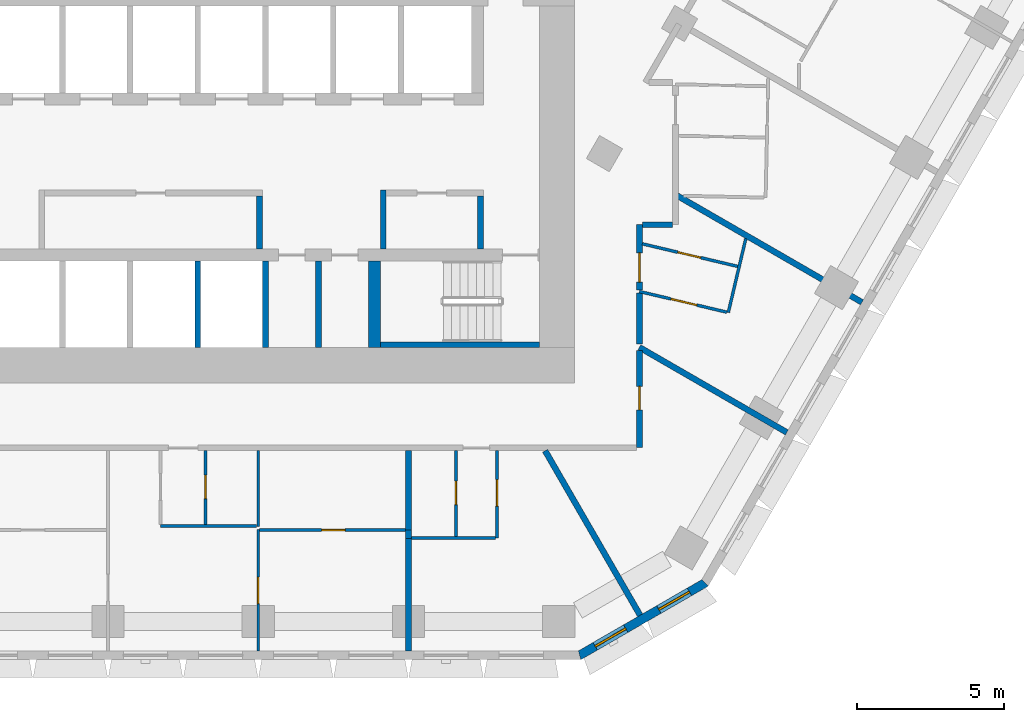
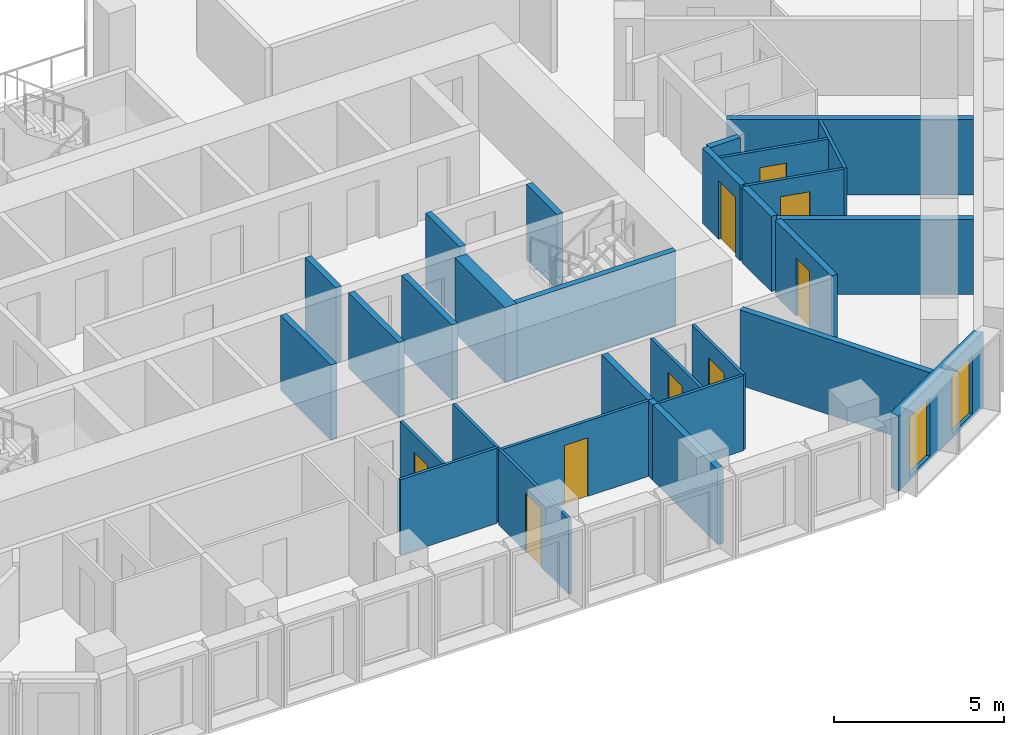
# One storey, part 6 of 21: 30 walls, 9 doors, 2 windows, 11 openings.
"""IFC4 building model written with IfcOpenShell, lengths in metres."""

from ifc_helpers import new_model, si_unit, direction, frame, frame_2d, origin, place, context, subcontext, project, spatial, polyline, rectangle, outline, extrude, material, layer, layer_set, type_object, element, fill, save


model = new_model("IFC4")

# Units and contexts
model_context = context("Model", 3, precision=1e-05, world=origin(), true_north=direction((0.0, 1.0)))
body_context = subcontext(model_context, "Body", "Model", "MODEL_VIEW")
ifc_project = project(units=[si_unit("LENGTHUNIT", "METRE"), si_unit("AREAUNIT", "SQUARE_METRE"), si_unit("VOLUMEUNIT", "CUBIC_METRE"), si_unit("PLANEANGLEUNIT", "RADIAN"), si_unit("MASSUNIT", "GRAM", prefix="KILO")], contexts=[model_context])

# Site, building, storey
site_placement = place(None, origin())
site = spatial("IfcSite", under=ifc_project, at=site_placement, CompositionType="ELEMENT")
building_placement = place(site_placement, origin())
building = spatial("IfcBuilding", under=site, at=building_placement, Name="Beryl Residences", CompositionType="ELEMENT")
storey_placement = place(building_placement, frame((0.0, 0.0, 53.39990234375)))
storey = spatial("IfcBuildingStorey", under=building, at=storey_placement, Name="L16", CompositionType="ELEMENT", Elevation=53.39990234375)

# Wall, openings, windows
ifc_material_1 = material(Name="Composite metal panel with mineral wool insulation")
ifc_layer_1 = layer(ifc_material_1, 0.300048828125)
ifc_layer_set_1 = layer_set([ifc_layer_1], Name="ES1 pale metal composite panel wall 300 mm")
wall_type_1 = type_object("IfcWallType", Name="ES1 pale metal composite panel wall 300 mm", PredefinedType="SOLIDWALL", material=ifc_layer_set_1)
wall_1_placement = place(storey_placement, frame((13.43505859375, -28.27001953125, 0.0), z_axis=(0.0, 0.0, 1.0), x_axis=(0.866010750942, 0.50002537861, 0.0)))
wall_1 = element("IfcWall", 1, at=wall_1_placement, inside=storey, type_object=wall_type_1, Name="ES1 external wall L16 S-SE", PredefinedType="SOLIDWALL", context=body_context, shape_type="SweptSolid", body=[
    extrude(outline(polyline([(0.0, -0.14990234375), (4.999755859375, -0.14990234375), (4.91943359375, 0.14990234375), (0.080322265625, 0.14990234375), (0.0, -0.14990234375)])), origin(), (0.0, 0.0, 1.0), 2.7001953125),
])
opening_1_placement = place(wall_1_placement, frame((0.64990234375, 0.0, 0.14990234375)))
opening_1 = element("IfcOpeningElement", 2, at=opening_1_placement, cuts=wall_1, Name="Opening W2", PredefinedType="OPENING", context=body_context, shape_type="SweptSolid", body=[
    extrude(rectangle(XDim=1.199951171875, YDim=2.10009765625, at=frame_2d((0.60009765625, 1.050048828125))), frame((0.0, 0.159912109375, 0.0), z_axis=(0.0, -1.0, 0.0), x_axis=(1.0, 0.0, 0.0)), (0.0, 0.0, 1.0), 0.320068359375),
])
opening_2_placement = place(wall_1_placement, frame((3.14892578125, 0.0, 0.14990234375)))
opening_2 = element("IfcOpeningElement", 3, at=opening_2_placement, cuts=wall_1, Name="Opening W2", PredefinedType="OPENING", context=body_context, shape_type="SweptSolid", body=[
    extrude(rectangle(XDim=1.199951171875, YDim=2.10009765625, at=frame_2d((0.60009765625, 1.050048828125))), frame((0.0, 0.159912109375, 0.0), z_axis=(0.0, -1.0, 0.0), x_axis=(1.0, 0.0, 0.0)), (0.0, 0.0, 1.0), 0.320068359375),
])
ifc_material_2 = material(Name="Aluminium and clear glass", Category="aluminium")
window_type = type_object("IfcWindowType", Name="W2 chamfer window 1200 x 2100 mm", PartitioningType="SINGLE_PANEL", PredefinedType="WINDOW", material=ifc_material_2)
window_1_placement = place(opening_1_placement, origin())
window_1 = element("IfcWindow", 4, at=window_1_placement, inside=storey, type_object=window_type, Name="W2 window L16 S-SE 1", OverallHeight=2.10009765625, OverallWidth=1.199951171875, PartitioningType="SINGLE_PANEL", PredefinedType="WINDOW", context=body_context, shape_type="SweptSolid", body=[
    extrude(rectangle(XDim=1.199951171875, YDim=2.10009765625, at=frame_2d((0.60009765625, 1.050048828125))), frame((0.0, 0.030029296875, 0.0), z_axis=(0.0, -1.0, 0.0), x_axis=(1.0, 0.0, 0.0)), (0.0, 0.0, 1.0), 0.06005859375),
])
fill(opening_1, window_1)
window_2_placement = place(opening_2_placement, origin())
window_2 = element("IfcWindow", 5, at=window_2_placement, inside=storey, type_object=window_type, Name="W2 window L16 S-SE 2", OverallHeight=2.10009765625, OverallWidth=1.199951171875, PartitioningType="SINGLE_PANEL", PredefinedType="WINDOW", context=body_context, shape_type="SweptSolid", body=[
    extrude(rectangle(XDim=1.199951171875, YDim=2.10009765625, at=frame_2d((0.60009765625, 1.050048828125))), frame((0.0, 0.030029296875, 0.0), z_axis=(0.0, -1.0, 0.0), x_axis=(1.0, 0.0, 0.0)), (0.0, 0.0, 1.0), 0.06005859375),
])
fill(opening_2, window_2)

# Wall, opening, door
ifc_material_3 = material(Name="Gypsum board partition on steel studs", Category="steel")
ifc_layer_2 = layer(ifc_material_3, 0.10009765625)
ifc_layer_set_2 = layer_set([ifc_layer_2], Name="PT1 partition 100 mm gypsum board on steel studs")
wall_type_2 = type_object("IfcWallType", Name="PT1 partition 100 mm gypsum board on steel studs", PredefinedType="PARTITIONING", material=ifc_layer_set_2)
wall_2_placement = place(storey_placement, frame((15.60009765625, -14.27294921875, 0.0), z_axis=(0.0, 0.0, 1.0), x_axis=(0.973083317443, -0.230453590368, 0.0)))
wall_2 = element("IfcWall", 6, at=wall_2_placement, inside=storey, type_object=wall_type_2, Name="Wall PT1 L16 015", PredefinedType="PARTITIONING", context=body_context, shape_type="SweptSolid", body=[
    extrude(rectangle(XDim=3.32861328125, YDim=0.10009765625, at=frame_2d((1.664306640625, 0.0))), origin(), (0.0, 0.0, 1.0), 2.7001953125),
])
opening_3_placement = place(wall_2_placement, frame((1.238037109375, 0.0, 0.0)))
opening_3 = element("IfcOpeningElement", 7, at=opening_3_placement, cuts=wall_2, Name="Opening D0239", PredefinedType="OPENING", context=body_context, shape_type="SweptSolid", body=[
    extrude(rectangle(XDim=0.800048828125, YDim=2.10009765625, at=frame_2d((0.39990234375, 1.050048828125))), frame((0.0, 0.06005859375, 0.0), z_axis=(0.0, -1.0, 0.0), x_axis=(1.0, 0.0, 0.0)), (0.0, 0.0, 1.0), 0.1201171875),
])
ifc_material_4 = material(Name="Timber door leaf", Category="wood")
door_type_1 = type_object("IfcDoorType", Name="D3 bathroom door 800 x 2100 mm", OperationType="SINGLE_SWING_LEFT", PredefinedType="DOOR", material=ifc_material_4)
door_1_placement = place(opening_3_placement, origin())
door_1 = element("IfcDoor", 8, at=door_1_placement, inside=storey, type_object=door_type_1, Name="Door D0239 L16 001", OperationType="SINGLE_SWING_LEFT", OverallHeight=2.10009765625, OverallWidth=0.800048828125, PredefinedType="DOOR", context=body_context, shape_type="SweptSolid", body=[
    extrude(rectangle(XDim=0.800048828125, YDim=2.10009765625, at=frame_2d((0.39990234375, 1.050048828125))), frame((0.0, 0.02490234375, 0.0), z_axis=(0.0, -1.0, 0.0), x_axis=(1.0, 0.0, 0.0)), (0.0, 0.0, 1.0), 0.050048828125),
])
fill(opening_3, door_1)

wall_3_placement = place(storey_placement, frame((15.5, -15.89208984375, 0.0), z_axis=(0.0, 0.0, 1.0), x_axis=(0.973119457068, -0.230300938504, 0.0)))
wall_3 = element("IfcWall", 9, at=wall_3_placement, inside=storey, type_object=wall_type_2, Name="Wall PT1 L16 016", PredefinedType="PARTITIONING", context=body_context, shape_type="SweptSolid", body=[
    extrude(rectangle(XDim=3.052001953125, YDim=0.10009765625, at=frame_2d((1.52587890625, 0.0))), origin(), (0.0, 0.0, 1.0), 2.7001953125),
])
opening_4_placement = place(wall_3_placement, frame((1.10205078125, 0.0, 0.0)))
opening_4 = element("IfcOpeningElement", 10, at=opening_4_placement, cuts=wall_3, Name="Opening D0238", PredefinedType="OPENING", context=body_context, shape_type="SweptSolid", body=[
    extrude(rectangle(XDim=0.89990234375, YDim=2.10009765625, at=frame_2d((0.449951171875, 1.050048828125))), frame((0.0, 0.06005859375, 0.0), z_axis=(0.0, -1.0, 0.0), x_axis=(1.0, 0.0, 0.0)), (0.0, 0.0, 1.0), 0.1201171875),
])
ifc_material_5 = material(Name="Timber door leaf", Category="wood")
door_type_2 = type_object("IfcDoorType", Name="D2 room door 900 x 2100 mm", OperationType="SINGLE_SWING_LEFT", PredefinedType="DOOR", material=ifc_material_5)
door_2_placement = place(opening_4_placement, origin())
door_2 = element("IfcDoor", 11, at=door_2_placement, inside=storey, type_object=door_type_2, Name="Door D0238 L16 001", OperationType="SINGLE_SWING_RIGHT", OverallHeight=2.10009765625, OverallWidth=0.89990234375, PredefinedType="DOOR", context=body_context, shape_type="SweptSolid", body=[
    extrude(rectangle(XDim=0.89990234375, YDim=2.10009765625, at=frame_2d((0.449951171875, 1.050048828125))), frame((0.0, 0.02490234375, 0.0), z_axis=(0.0, -1.0, 0.0), x_axis=(1.0, 0.0, 0.0)), (0.0, 0.0, 1.0), 0.050048828125),
])
fill(opening_4, door_2)

# Wall
wall_4_placement = place(storey_placement, frame((-0.763916015625, -23.860107421875, 0.0), z_axis=(0.0, 0.0, 1.0), x_axis=(1.0, 0.0, 0.0)))
element("IfcWall", 12, at=wall_4_placement, inside=storey, type_object=wall_type_2, Name="Wall PT1 L16 030", PredefinedType="PARTITIONING", context=body_context, shape_type="SweptSolid", body=[
    extrude(rectangle(XDim=3.266845703125, YDim=0.10009765625, at=frame_2d((1.63330078125, 0.0))), origin(), (0.0, 0.0, 1.0), 2.7001953125),
])

# Wall, opening, door
wall_5_placement = place(storey_placement, frame((2.60302734375, -24.0, 0.0), z_axis=(0.0, 0.0, 1.0), x_axis=(1.0, 0.0, 0.0)))
wall_5 = element("IfcWall", 13, at=wall_5_placement, inside=storey, type_object=wall_type_2, Name="Wall PT1 L16 032", PredefinedType="PARTITIONING", context=body_context, shape_type="SweptSolid", body=[
    extrude(rectangle(XDim=4.953857421875, YDim=0.10009765625, at=frame_2d((2.47705078125, 0.0))), origin(), (0.0, 0.0, 1.0), 2.7001953125),
])
opening_5_placement = place(wall_5_placement, frame((2.10205078125, 0.0, 0.0)))
opening_5 = element("IfcOpeningElement", 14, at=opening_5_placement, cuts=wall_5, Name="Opening D0232", PredefinedType="OPENING", context=body_context, shape_type="SweptSolid", body=[
    extrude(rectangle(XDim=0.800048828125, YDim=2.10009765625, at=frame_2d((0.39990234375, 1.050048828125))), frame((0.0, 0.06005859375, 0.0), z_axis=(0.0, -1.0, 0.0), x_axis=(1.0, 0.0, 0.0)), (0.0, 0.0, 1.0), 0.1201171875),
])
door_3_placement = place(opening_5_placement, origin())
door_3 = element("IfcDoor", 15, at=door_3_placement, inside=storey, type_object=door_type_1, Name="Door D0232 L16 001", OperationType="SINGLE_SWING_RIGHT", OverallHeight=2.10009765625, OverallWidth=0.800048828125, PredefinedType="DOOR", context=body_context, shape_type="SweptSolid", body=[
    extrude(rectangle(XDim=0.800048828125, YDim=2.10009765625, at=frame_2d((0.39990234375, 1.050048828125))), frame((0.0, 0.02490234375, 0.0), z_axis=(0.0, -1.0, 0.0), x_axis=(1.0, 0.0, 0.0)), (0.0, 0.0, 1.0), 0.050048828125),
])
fill(opening_5, door_3)

# Walls
wall_6_placement = place(storey_placement, frame((7.757080078125, -24.260009765625, 0.0), z_axis=(0.0, 0.0, 1.0), x_axis=(1.0, 0.0, 0.0)))
element("IfcWall", 16, at=wall_6_placement, inside=storey, type_object=wall_type_2, Name="Wall PT1 L16 034", PredefinedType="PARTITIONING", context=body_context, shape_type="SweptSolid", body=[
    extrude(rectangle(XDim=2.85791015625, YDim=0.10009765625, at=frame_2d((1.428955078125, 0.0))), origin(), (0.0, 0.0, 1.0), 2.7001953125),
])
wall_7_placement = place(storey_placement, frame((18.52001953125, -16.60595703125, 0.0), z_axis=(0.0, 0.0, 1.0), x_axis=(0.230289488548, 0.973122166773, 0.0)))
element("IfcWall", 17, at=wall_7_placement, inside=storey, type_object=wall_type_2, Name="Wall PT1 L16 044", PredefinedType="PARTITIONING", context=body_context, shape_type="SweptSolid", body=[
    extrude(rectangle(XDim=2.579345703125, YDim=0.10009765625, at=frame_2d((1.28955078125, 0.0))), origin(), (0.0, 0.0, 1.0), 2.7001953125),
])

# Wall, opening, door
wall_8_placement = place(storey_placement, frame((0.76708984375, -23.81005859375, 0.0), z_axis=(0.0, 0.0, 1.0), x_axis=(0.0, 1.0, 0.0)))
wall_8 = element("IfcWall", 18, at=wall_8_placement, inside=storey, type_object=wall_type_2, Name="Wall PT1 L16 048", PredefinedType="PARTITIONING", context=body_context, shape_type="SweptSolid", body=[
    extrude(rectangle(XDim=2.510009765625, YDim=0.10009765625, at=frame_2d((1.2548828125, 0.0))), origin(), (0.0, 0.0, 1.0), 2.7001953125),
])
opening_6_placement = place(wall_8_placement, frame((0.8798828125, 0.0, 0.0)))
opening_6 = element("IfcOpeningElement", 19, at=opening_6_placement, cuts=wall_8, Name="Opening D0228", PredefinedType="OPENING", context=body_context, shape_type="SweptSolid", body=[
    extrude(rectangle(XDim=0.800048828125, YDim=2.10009765625, at=frame_2d((0.39990234375, 1.050048828125))), frame((0.0, 0.06005859375, 0.0), z_axis=(0.0, -1.0, 0.0), x_axis=(1.0, 0.0, 0.0)), (0.0, 0.0, 1.0), 0.1201171875),
])
door_4_placement = place(opening_6_placement, origin())
door_4 = element("IfcDoor", 20, at=door_4_placement, inside=storey, type_object=door_type_1, Name="Door D0228 L16 001", OperationType="SINGLE_SWING_RIGHT", OverallHeight=2.10009765625, OverallWidth=0.800048828125, PredefinedType="DOOR", context=body_context, shape_type="SweptSolid", body=[
    extrude(rectangle(XDim=0.800048828125, YDim=2.10009765625, at=frame_2d((0.39990234375, 1.050048828125))), frame((0.0, 0.02490234375, 0.0), z_axis=(0.0, -1.0, 0.0), x_axis=(1.0, 0.0, 0.0)), (0.0, 0.0, 1.0), 0.050048828125),
])
fill(opening_6, door_4)

wall_9_placement = place(storey_placement, frame((9.26611328125, -24.2099609375, 0.0), z_axis=(0.0, 0.0, 1.0), x_axis=(0.0, 1.0, 0.0)))
wall_9 = element("IfcWall", 21, at=wall_9_placement, inside=storey, type_object=wall_type_2, Name="Wall PT1 L16 049", PredefinedType="PARTITIONING", context=body_context, shape_type="SweptSolid", body=[
    extrude(rectangle(XDim=2.909912109375, YDim=0.10009765625, at=frame_2d((1.455078125, 0.0))), origin(), (0.0, 0.0, 1.0), 2.7001953125),
])
opening_7_placement = place(wall_9_placement, frame((1.080078125, 0.0, 0.0)))
opening_7 = element("IfcOpeningElement", 22, at=opening_7_placement, cuts=wall_9, Name="Opening D0235", PredefinedType="OPENING", context=body_context, shape_type="SweptSolid", body=[
    extrude(rectangle(XDim=0.800048828125, YDim=2.10009765625, at=frame_2d((0.39990234375, 1.050048828125))), frame((0.0, 0.06005859375, 0.0), z_axis=(0.0, -1.0, 0.0), x_axis=(1.0, 0.0, 0.0)), (0.0, 0.0, 1.0), 0.1201171875),
])
door_5_placement = place(opening_7_placement, origin())
door_5 = element("IfcDoor", 23, at=door_5_placement, inside=storey, type_object=door_type_1, Name="Door D0235 L16 001", OperationType="SINGLE_SWING_LEFT", OverallHeight=2.10009765625, OverallWidth=0.800048828125, PredefinedType="DOOR", context=body_context, shape_type="SweptSolid", body=[
    extrude(rectangle(XDim=0.800048828125, YDim=2.10009765625, at=frame_2d((0.39990234375, 1.050048828125))), frame((0.0, 0.02490234375, 0.0), z_axis=(0.0, -1.0, 0.0), x_axis=(1.0, 0.0, 0.0)), (0.0, 0.0, 1.0), 0.050048828125),
])
fill(opening_7, door_5)

wall_10_placement = place(storey_placement, frame((10.666015625, -24.259033203125, 0.0), z_axis=(0.0, 0.0, 1.0), x_axis=(0.0, 1.0, 0.0)))
wall_10 = element("IfcWall", 24, at=wall_10_placement, inside=storey, type_object=wall_type_2, Name="Wall PT1 L16 050", PredefinedType="PARTITIONING", context=body_context, shape_type="SweptSolid", body=[
    extrude(rectangle(XDim=2.958984375, YDim=0.10009765625, at=frame_2d((1.4794921875, 0.0))), origin(), (0.0, 0.0, 1.0), 2.7001953125),
])
opening_8_placement = place(wall_10_placement, frame((1.0791015625, 0.0, 0.0)))
opening_8 = element("IfcOpeningElement", 25, at=opening_8_placement, cuts=wall_10, Name="Opening D0234", PredefinedType="OPENING", context=body_context, shape_type="SweptSolid", body=[
    extrude(rectangle(XDim=0.89990234375, YDim=2.10009765625, at=frame_2d((0.449951171875, 1.050048828125))), frame((0.0, 0.06005859375, 0.0), z_axis=(0.0, -1.0, 0.0), x_axis=(1.0, 0.0, 0.0)), (0.0, 0.0, 1.0), 0.1201171875),
])
door_6_placement = place(opening_8_placement, origin())
door_6 = element("IfcDoor", 26, at=door_6_placement, inside=storey, type_object=door_type_2, Name="Door D0234 L16 001", OperationType="SINGLE_SWING_RIGHT", OverallHeight=2.10009765625, OverallWidth=0.89990234375, PredefinedType="DOOR", context=body_context, shape_type="SweptSolid", body=[
    extrude(rectangle(XDim=0.89990234375, YDim=2.10009765625, at=frame_2d((0.449951171875, 1.050048828125))), frame((0.0, 0.02490234375, 0.0), z_axis=(0.0, -1.0, 0.0), x_axis=(1.0, 0.0, 0.0)), (0.0, 0.0, 1.0), 0.050048828125),
])
fill(opening_8, door_6)

wall_11_placement = place(storey_placement, frame((2.552978515625, -28.10009765625, 0.0), z_axis=(0.0, 0.0, 1.0), x_axis=(0.0, 1.0, 0.0)))
wall_11 = element("IfcWall", 27, at=wall_11_placement, inside=storey, type_object=wall_type_2, Name="Wall PT1 L16 052", PredefinedType="PARTITIONING", context=body_context, shape_type="SweptSolid", body=[
    extrude(rectangle(XDim=4.1201171875, YDim=0.10009765625, at=frame_2d((2.06005859375, 0.0))), origin(), (0.0, 0.0, 1.0), 2.7001953125),
])
opening_9_placement = place(wall_11_placement, frame((1.610107421875, 0.0, 0.0)))
opening_9 = element("IfcOpeningElement", 28, at=opening_9_placement, cuts=wall_11, Name="Opening D0229", PredefinedType="OPENING", context=body_context, shape_type="SweptSolid", body=[
    extrude(rectangle(XDim=0.89990234375, YDim=2.10009765625, at=frame_2d((0.449951171875, 1.050048828125))), frame((0.0, 0.06005859375, 0.0), z_axis=(0.0, -1.0, 0.0), x_axis=(1.0, 0.0, 0.0)), (0.0, 0.0, 1.0), 0.1201171875),
])
door_7_placement = place(opening_9_placement, origin())
door_7 = element("IfcDoor", 29, at=door_7_placement, inside=storey, type_object=door_type_2, Name="Door D0229 L16 001", OperationType="SINGLE_SWING_LEFT", OverallHeight=2.10009765625, OverallWidth=0.89990234375, PredefinedType="DOOR", context=body_context, shape_type="SweptSolid", body=[
    extrude(rectangle(XDim=0.89990234375, YDim=2.10009765625, at=frame_2d((0.449951171875, 1.050048828125))), frame((0.0, 0.02490234375, 0.0), z_axis=(0.0, -1.0, 0.0), x_axis=(1.0, 0.0, 0.0)), (0.0, 0.0, 1.0), 0.050048828125),
])
fill(opening_9, door_7)

# Walls
wall_12_placement = place(storey_placement, frame((2.552978515625, -23.8798828125, 0.0), z_axis=(0.0, 0.0, 1.0), x_axis=(0.0, 1.0, 0.0)))
element("IfcWall", 30, at=wall_12_placement, inside=storey, type_object=wall_type_2, Name="Wall PT1 L16 053", PredefinedType="PARTITIONING", context=body_context, shape_type="SweptSolid", body=[
    extrude(rectangle(XDim=2.579833984375, YDim=0.10009765625, at=frame_2d((1.2900390625, 0.0))), origin(), (0.0, 0.0, 1.0), 2.7001953125),
])
ifc_material_6 = material(Name="Concrete masonry", Category="masonry")
ifc_layer_3 = layer(ifc_material_6, 0.199951171875)
ifc_layer_set_3 = layer_set([ifc_layer_3], Name="PT13 lobby wall 200 mm")
wall_type_3 = type_object("IfcWallType", Name="PT13 lobby wall 200 mm", PredefinedType="PARTITIONING", material=ifc_layer_set_3)
wall_13_placement = place(storey_placement, frame((2.60009765625, -14.449951171875, 0.0), z_axis=(0.0, 0.0, 1.0), x_axis=(0.0, 1.0, 0.0)))
element("IfcWall", 31, at=wall_13_placement, inside=storey, type_object=wall_type_3, Name="Lobby wall 15", PredefinedType="PARTITIONING", context=body_context, shape_type="SweptSolid", body=[
    extrude(rectangle(XDim=1.800048828125, YDim=0.199951171875, at=frame_2d((0.89990234375, 0.0))), origin(), (0.0, 0.0, 1.0), 2.7001953125),
])
wall_14_placement = place(storey_placement, frame((6.800048828125, -14.449951171875, 0.0), z_axis=(0.0, 0.0, 1.0), x_axis=(0.0, 1.0, 0.0)))
element("IfcWall", 32, at=wall_14_placement, inside=storey, type_object=wall_type_3, Name="Lobby wall 21", PredefinedType="PARTITIONING", context=body_context, shape_type="SweptSolid", body=[
    extrude(rectangle(XDim=2.0, YDim=0.199951171875, at=frame_2d((1.0, 0.0))), origin(), (0.0, 0.0, 1.0), 2.7001953125),
])
wall_15_placement = place(storey_placement, frame((10.10009765625, -14.449951171875, 0.0), z_axis=(0.0, 0.0, 1.0), x_axis=(0.0, 1.0, 0.0)))
element("IfcWall", 33, at=wall_15_placement, inside=storey, type_object=wall_type_3, Name="Lobby wall 24", PredefinedType="PARTITIONING", context=body_context, shape_type="SweptSolid", body=[
    extrude(rectangle(XDim=1.800048828125, YDim=0.199951171875, at=frame_2d((0.89990234375, 0.0))), origin(), (0.0, 0.0, 1.0), 2.7001953125),
])
ifc_material_7 = material(Name="Acoustic double stud gypsum board wall")
ifc_layer_4 = layer(ifc_material_7, 0.199951171875)
ifc_layer_set_4 = layer_set([ifc_layer_4], Name="PT3 party wall 200 mm acoustic double stud")
wall_type_4 = type_object("IfcWallType", Name="PT3 party wall 200 mm acoustic double stud", PredefinedType="PARTITIONING", material=ifc_layer_set_4)
wall_16_placement = place(storey_placement, frame((12.297119140625, -21.300048828125, 0.0), z_axis=(0.0, 0.0, 1.0), x_axis=(0.500056399578, -0.865992839024, 0.0)))
element("IfcWall", 34, at=wall_16_placement, inside=storey, type_object=wall_type_4, Name="Wall PT3 L16 002", PredefinedType="PARTITIONING", context=body_context, shape_type="SweptSolid", body=[
    extrude(rectangle(XDim=6.454833984375, YDim=0.199951171875, at=frame_2d((3.2275390625, 0.0))), origin(), (0.0, 0.0, 1.0), 2.7001953125),
])
wall_17_placement = place(storey_placement, frame((7.656982421875, -24.0, 0.0), z_axis=(0.0, 0.0, 1.0), x_axis=(0.0, -1.0, 0.0)))
element("IfcWall", 35, at=wall_17_placement, inside=storey, type_object=wall_type_4, Name="Wall PT3 L16 006", PredefinedType="PARTITIONING", context=body_context, shape_type="SweptSolid", body=[
    extrude(rectangle(XDim=0.280029296875, YDim=0.199951171875, at=frame_2d((0.14013671875, 0.0))), origin(), (0.0, 0.0, 1.0), 2.7001953125),
])
wall_18_placement = place(storey_placement, frame((15.5, -17.7880859375, 0.0), z_axis=(0.0, 0.0, 1.0), x_axis=(0.866065366639, -0.499930775916, 0.0)))
element("IfcWall", 36, at=wall_18_placement, inside=storey, type_object=wall_type_4, Name="Wall PT3 L16 008", PredefinedType="PARTITIONING", context=body_context, shape_type="SweptSolid", body=[
    extrude(rectangle(XDim=5.782470703125, YDim=0.199951171875, at=frame_2d((2.89111328125, 0.0))), origin(), (0.0, 0.0, 1.0), 2.7001953125),
])
wall_19_placement = place(storey_placement, frame((16.7880859375, -12.637939453125, 0.0), z_axis=(0.0, 0.0, 1.0), x_axis=(0.866027278279, -0.499996753267, 0.0)))
element("IfcWall", 37, at=wall_19_placement, inside=storey, type_object=wall_type_4, Name="Wall PT3 L16 011", PredefinedType="PARTITIONING", context=body_context, shape_type="SweptSolid", body=[
    extrude(rectangle(XDim=7.2421875, YDim=0.199951171875, at=frame_2d((3.62109375, 0.0))), origin(), (0.0, 0.0, 1.0), 2.7001953125),
])
wall_20_placement = place(storey_placement, frame((7.656982421875, -28.10009765625, 0.0), z_axis=(0.0, 0.0, 1.0), x_axis=(0.0, 1.0, 0.0)))
element("IfcWall", 38, at=wall_20_placement, inside=storey, type_object=wall_type_4, Name="Wall PT3 L16 017", PredefinedType="PARTITIONING", context=body_context, shape_type="SweptSolid", body=[
    extrude(rectangle(XDim=3.860107421875, YDim=0.199951171875, at=frame_2d((1.93017578125, 0.0))), origin(), (0.0, 0.0, 1.0), 2.7001953125),
])
wall_21_placement = place(storey_placement, frame((7.656982421875, -24.0, 0.0), z_axis=(0.0, 0.0, 1.0), x_axis=(0.0, 1.0, 0.0)))
element("IfcWall", 39, at=wall_21_placement, inside=storey, type_object=wall_type_4, Name="Wall PT3 L16 018", PredefinedType="PARTITIONING", context=body_context, shape_type="SweptSolid", body=[
    extrude(rectangle(XDim=2.699951171875, YDim=0.199951171875, at=frame_2d((1.35009765625, 0.0))), origin(), (0.0, 0.0, 1.0), 2.7001953125),
])
ifc_material_8 = material(Name="Double stud gypsum board wall")
ifc_layer_5 = layer(ifc_material_8, 0.199951171875)
ifc_layer_set_5 = layer_set([ifc_layer_5], Name="PT4 corridor wall 200 mm double stud")
wall_type_5 = type_object("IfcWallType", Name="PT4 corridor wall 200 mm double stud", PredefinedType="PARTITIONING", material=ifc_layer_set_5)
wall_22_placement = place(storey_placement, frame((15.5, -15.943115234375, 0.0), z_axis=(0.0, 0.0, 1.0), x_axis=(0.0, -1.0, 0.0)))
element("IfcWall", 40, at=wall_22_placement, inside=storey, type_object=wall_type_5, Name="Wall PT4 L16 009", PredefinedType="PARTITIONING", context=body_context, shape_type="SweptSolid", body=[
    extrude(rectangle(XDim=1.72900390625, YDim=0.199951171875, at=frame_2d((0.864501953125, 0.0))), origin(), (0.0, 0.0, 1.0), 2.7001953125),
])
wall_23_placement = place(storey_placement, frame((15.60009765625, -13.6240234375, 0.0), z_axis=(0.0, 0.0, 1.0), x_axis=(1.0, 0.0, 0.0)))
element("IfcWall", 41, at=wall_23_placement, inside=storey, type_object=wall_type_5, Name="Wall PT4 L16 012", PredefinedType="PARTITIONING", context=body_context, shape_type="SweptSolid", body=[
    extrude(rectangle(XDim=1.02783203125, YDim=0.199951171875, at=frame_2d((0.513916015625, 0.0))), origin(), (0.0, 0.0, 1.0), 2.7001953125),
])

# Wall, opening, door
wall_24_placement = place(storey_placement, frame((15.5, -21.198974609375, 0.0), z_axis=(0.0, 0.0, 1.0), x_axis=(0.0, 1.0, 0.0)))
wall_24 = element("IfcWall", 42, at=wall_24_placement, inside=storey, type_object=wall_type_5, Name="Wall PT4 L16 028", PredefinedType="PARTITIONING", context=body_context, shape_type="SweptSolid", body=[
    extrude(rectangle(XDim=3.2958984375, YDim=0.199951171875, at=frame_2d((1.64794921875, 0.0))), origin(), (0.0, 0.0, 1.0), 2.7001953125),
])
opening_10_placement = place(wall_24_placement, frame((1.2880859375, 0.0, 0.0)))
opening_10 = element("IfcOpeningElement", 43, at=opening_10_placement, cuts=wall_24, Name="Opening D0236", PredefinedType="OPENING", context=body_context, shape_type="SweptSolid", body=[
    extrude(rectangle(XDim=0.800048828125, YDim=2.10009765625, at=frame_2d((0.39990234375, 1.050048828125))), frame((0.0, 0.10986328125, 0.0), z_axis=(0.0, -1.0, 0.0), x_axis=(1.0, 0.0, 0.0)), (0.0, 0.0, 1.0), 0.219970703125),
])
door_8_placement = place(opening_10_placement, origin())
door_8 = element("IfcDoor", 44, at=door_8_placement, inside=storey, type_object=door_type_1, Name="Door D0236 L16 001", OperationType="SINGLE_SWING_RIGHT", OverallHeight=2.10009765625, OverallWidth=0.800048828125, PredefinedType="DOOR", context=body_context, shape_type="SweptSolid", body=[
    extrude(rectangle(XDim=0.800048828125, YDim=2.10009765625, at=frame_2d((0.39990234375, 1.050048828125))), frame((0.0, 0.02490234375, 0.0), z_axis=(0.0, -1.0, 0.0), x_axis=(1.0, 0.0, 0.0)), (0.0, 0.0, 1.0), 0.050048828125),
])
fill(opening_10, door_8)

wall_25_placement = place(storey_placement, frame((15.5, -15.840087890625, 0.0), z_axis=(0.0, 0.0, 1.0), x_axis=(0.0, 1.0, 0.0)))
wall_25 = element("IfcWall", 45, at=wall_25_placement, inside=storey, type_object=wall_type_5, Name="Wall PT4 L16 029", PredefinedType="PARTITIONING", context=body_context, shape_type="SweptSolid", body=[
    extrude(rectangle(XDim=2.216064453125, YDim=0.199951171875, at=frame_2d((1.10791015625, 0.0))), origin(), (0.0, 0.0, 1.0), 2.7001953125),
])
opening_11_placement = place(wall_25_placement, frame((0.262939453125, 0.0, 0.0)))
opening_11 = element("IfcOpeningElement", 46, at=opening_11_placement, cuts=wall_25, Name="Opening D0237", PredefinedType="OPENING", context=body_context, shape_type="SweptSolid", body=[
    extrude(rectangle(XDim=1.0, YDim=2.10009765625, at=frame_2d((0.5, 1.050048828125))), frame((0.0, 0.10986328125, 0.0), z_axis=(0.0, -1.0, 0.0), x_axis=(1.0, 0.0, 0.0)), (0.0, 0.0, 1.0), 0.219970703125),
])
ifc_material_9 = material(Name="Timber door leaf", Category="wood")
door_type_3 = type_object("IfcDoorType", Name="D1 flat entrance door 1000 x 2100 mm", OperationType="SINGLE_SWING_LEFT", PredefinedType="DOOR", material=ifc_material_9)
door_9_placement = place(opening_11_placement, origin())
door_9 = element("IfcDoor", 47, at=door_9_placement, inside=storey, type_object=door_type_3, Name="Door D0237 L16 001", OperationType="SINGLE_SWING_LEFT", OverallHeight=2.10009765625, OverallWidth=1.0, PredefinedType="DOOR", context=body_context, shape_type="SweptSolid", body=[
    extrude(rectangle(XDim=1.0, YDim=2.10009765625, at=frame_2d((0.5, 1.050048828125))), frame((0.0, 0.02490234375, 0.0), z_axis=(0.0, -1.0, 0.0), x_axis=(1.0, 0.0, 0.0)), (0.0, 0.0, 1.0), 0.050048828125),
])
fill(opening_11, door_9)

# Walls
ifc_material_10 = material(Name="Concrete C40/50", Category="concrete")
ifc_layer_6 = layer(ifc_material_10, 0.199951171875)
ifc_layer_set_6 = layer_set([ifc_layer_6], Name="PT5 stair enclosure wall 200 mm reinforced concrete C40/50")
wall_type_6 = type_object("IfcWallType", Name="PT5 stair enclosure wall 200 mm reinforced concrete C40/50", PredefinedType="SOLIDWALL", material=ifc_layer_set_6)
wall_26_placement = place(storey_placement, frame((6.699951171875, -17.699951171875, 0.0), z_axis=(0.0, 0.0, 1.0), x_axis=(1.0, 0.0, 0.0)))
element("IfcWall", 48, at=wall_26_placement, inside=storey, type_object=wall_type_6, Name="Stair wall 20", PredefinedType="SOLIDWALL", context=body_context, shape_type="SweptSolid", body=[
    extrude(rectangle(XDim=5.400146484375, YDim=0.199951171875, at=frame_2d((2.7001953125, 0.0))), origin(), (0.0, 0.0, 1.0), 2.7001953125),
])
ifc_material_11 = material(Name="Concrete C40/50", Category="concrete")
ifc_layer_7 = layer(ifc_material_11, 0.199951171875)
ifc_layer_set_7 = layer_set([ifc_layer_7], Name="PT6 lift shaft wall 200 mm reinforced concrete C40/50")
wall_type_7 = type_object("IfcWallType", Name="PT6 lift shaft wall 200 mm reinforced concrete C40/50", PredefinedType="SOLIDWALL", material=ifc_layer_set_7)
for number, where, z_axis, x_axis, name in (
    (49, (0.5, -17.800048828125, 0.0), (0.0, 0.0, 1.0), (0.0, 1.0, 0.0), "Lift shaft wall 13"),
    (50, (2.800048828125, -17.800048828125, 0.0), (0.0, 0.0, 1.0), (0.0, 1.0, 0.0), "Lift shaft wall 16"),
):
    element("IfcWall", number, at=place(storey_placement, frame(where, z_axis=z_axis, x_axis=x_axis)), inside=storey, type_object=wall_type_7, Name=name, PredefinedType="SOLIDWALL", context=body_context, shape_type="SweptSolid", body=[
        extrude(rectangle(XDim=2.949951171875, YDim=0.199951171875, at=frame_2d((1.47509765625, 0.0))), origin(), (0.0, 0.0, 1.0), 2.7001953125),
    ])
ifc_material_12 = material(Name="Concrete masonry", Category="masonry")
ifc_layer_8 = layer(ifc_material_12, 0.199951171875)
ifc_layer_set_8 = layer_set([ifc_layer_8], Name="PT8-200 service room wall 200 mm")
wall_type_8 = type_object("IfcWallType", Name="PT8-200 service room wall 200 mm", PredefinedType="PARTITIONING", material=ifc_layer_set_8)
wall_27_placement = place(storey_placement, frame((4.60009765625, -17.800048828125, 0.0), z_axis=(0.0, 0.0, 1.0), x_axis=(0.0, 1.0, 0.0)))
element("IfcWall", 51, at=wall_27_placement, inside=storey, type_object=wall_type_8, Name="Core room wall 18", PredefinedType="PARTITIONING", context=body_context, shape_type="SweptSolid", body=[
    extrude(rectangle(XDim=2.949951171875, YDim=0.199951171875, at=frame_2d((1.47509765625, 0.0))), origin(), (0.0, 0.0, 1.0), 2.7001953125),
])
ifc_material_13 = material(Name="Concrete C80/95", Category="concrete")
ifc_layer_9 = layer(ifc_material_13, 0.39990234375)
ifc_layer_set_9 = layer_set([ifc_layer_9], Name="SW6 core internal wall 400 mm C80/95")
wall_type_9 = type_object("IfcWallType", Name="SW6 core internal wall 400 mm C80/95", PredefinedType="SHEAR", material=ifc_layer_set_9)
wall_28_placement = place(storey_placement, frame((6.5, -17.800048828125, 0.0), z_axis=(0.0, 0.0, 1.0), x_axis=(0.0, 1.0, 0.0)))
element("IfcWall", 52, at=wall_28_placement, inside=storey, type_object=wall_type_9, Name="Core wall XS2 L16", PredefinedType="SHEAR", context=body_context, shape_type="SweptSolid", body=[
    extrude(rectangle(XDim=2.949951171875, YDim=0.39990234375, at=frame_2d((1.47509765625, 0.0))), origin(), (0.0, 0.0, 1.0), 2.7001953125),
])

save(model, "model.ifc")
